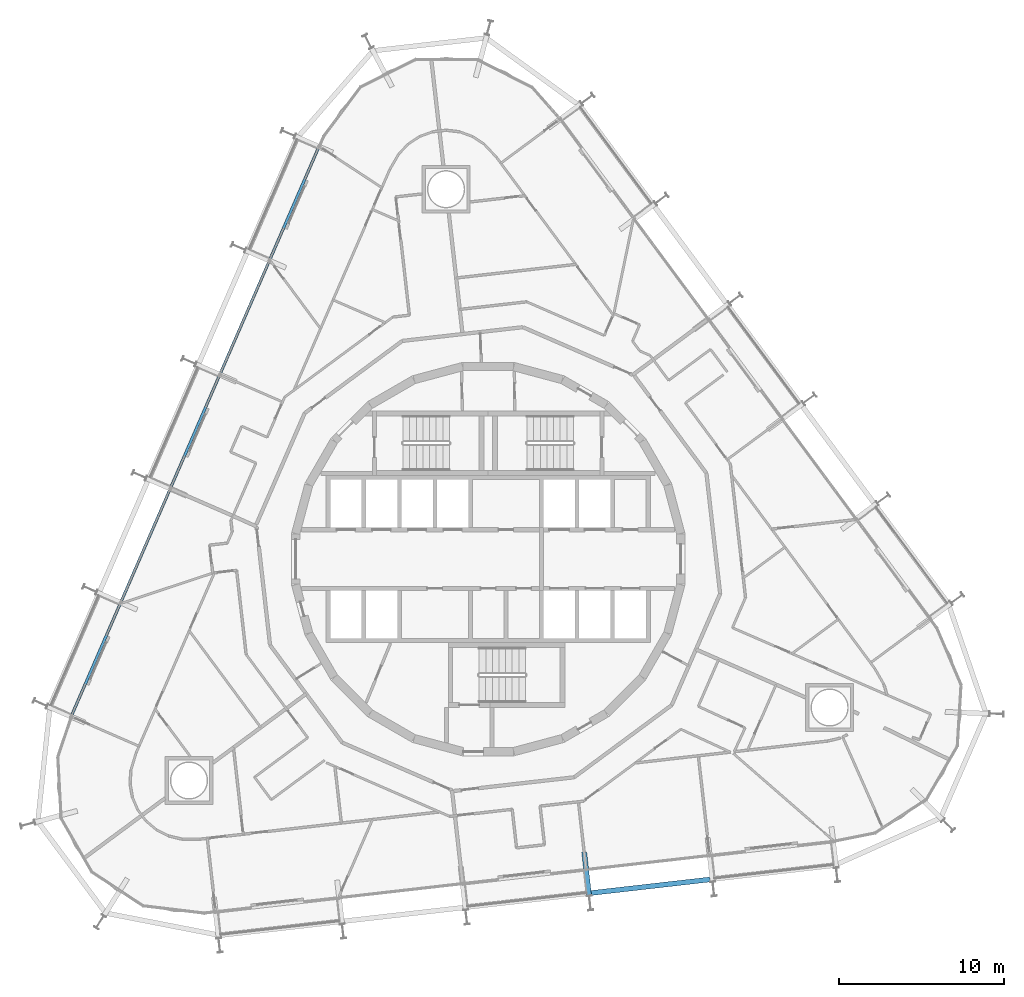
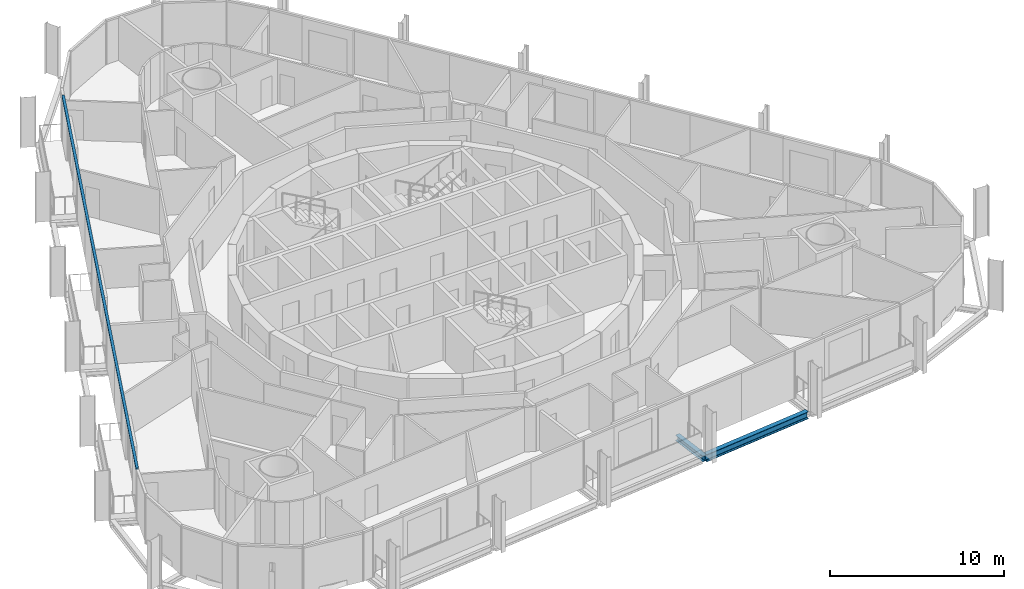
# One storey, part 6 of 22: 2 beams, 1 member, 1 element without a shape of its own.
"""IFC4 building model written with IfcOpenShell, lengths in metres."""

from ifc_helpers import new_model, si_unit, direction, frame, origin, origin_2d, place, context, subcontext, project, spatial, rectangle, i_section, extrude, material, layer, layer_set, material_profile, profile_set, type_object, element, aggregate, save


model = new_model("IFC4")

# Units and contexts
model_context = context("Model", 3, precision=1e-05, world=origin(), true_north=direction((0.0, 1.0)))
body_context = subcontext(model_context, "Body", "Model", "MODEL_VIEW")
ifc_project = project(units=[si_unit("LENGTHUNIT", "METRE"), si_unit("AREAUNIT", "SQUARE_METRE"), si_unit("VOLUMEUNIT", "CUBIC_METRE"), si_unit("PLANEANGLEUNIT", "RADIAN"), si_unit("MASSUNIT", "GRAM", prefix="KILO")], contexts=[model_context])

# Site, building, storey
site_placement = place(None, origin())
site = spatial("IfcSite", under=ifc_project, at=site_placement, CompositionType="ELEMENT")
building_placement = place(site_placement, origin())
building = spatial("IfcBuilding", under=site, at=building_placement, Name="Spindle Arch Residences", CompositionType="ELEMENT")
storey_placement = place(building_placement, frame((0.0, 0.0, 80.199951171875)))
storey = spatial("IfcBuildingStorey", under=building, at=storey_placement, Name="L18", CompositionType="ELEMENT", Elevation=80.199951171875)

# Curtain wall, member
ifc_material_1 = material(Name="Aluminium bronze unitised frame with tinted glass", Category="aluminium")
ifc_layer = layer(ifc_material_1, 0.159912109375)
ifc_layer_set = layer_set([ifc_layer], Name="CW-C typical residential unitised wall")
curtain_wall_type = type_object("IfcCurtainWallType", Name="CW-C typical residential unitised wall", PredefinedType="NOTDEFINED", material=ifc_layer_set)
curtain_wall_placement = place(storey_placement, origin())
curtain_wall = element("IfcCurtainWall", 1, at=curtain_wall_placement, inside=storey, type_object=curtain_wall_type, Name="CW-C L18 run 4", PredefinedType="NOTDEFINED")
ifc_material_2 = material(Name="Aluminium bronze anodised transom", Category="aluminium")
ifc_material_profile_1 = material_profile(ifc_material_2, rectangle(XDim=0.159912109375, YDim=0.1201171875, at=origin_2d()), Name="TR 120x160")
ifc_profile_set_1 = profile_set([ifc_material_profile_1], Name="Aluminium bronze anodised transom")
member_type = type_object("IfcMemberType", Name="Bronze transom 120x160", PredefinedType="USERDEFINED", material=ifc_profile_set_1)
member_placement = place(storey_placement, frame((-10.250244140625, 24.92138671875, 3.06005859375), z_axis=(-0.398750371211, -0.917059508134, 0.0), x_axis=(0.917059508134, -0.398750371211, 0.0)))
member = element("IfcMember", 2, at=member_placement, type_object=member_type, Name="CW-C transom 00", ObjectType="TRANSOM", PredefinedType="USERDEFINED", context=body_context, shape_type="SweptSolid", body=[
    extrude(rectangle(XDim=0.159912109375, YDim=0.1201171875, at=origin_2d()), origin(), (0.0, 0.0, 1.0), 37.5341796875),
])
aggregate(curtain_wall, [member])

# Beams
ifc_material_3 = material(Name="Steel S460ML, intumescent coating R 120", Category="steel")
ifc_material_profile_2 = material_profile(ifc_material_3, i_section(OverallWidth=0.300048828125, OverallDepth=0.5, WebThickness=0.014404296875, FlangeThickness=0.028076171875, FilletRadius=0.027099609375, at=origin_2d()), Name="HEB 500")
ifc_profile_set_2 = profile_set([ifc_material_profile_2], Name="Steel S460ML, intumescent coating R 120")
beam_type_1 = type_object("IfcBeamType", Name="Exoskeleton edge beam HEB 500", PredefinedType="BEAM", material=ifc_profile_set_2)
beam_1_placement = place(storey_placement, frame((6.2158203125, -20.19677734375, -0.6298828125), z_axis=(0.993570992395, 0.11321079044, 0.0), x_axis=(-0.11321079044, 0.993570992395, 0.0)))
element("IfcBeam", 3, at=beam_1_placement, inside=storey, type_object=beam_type_1, Name="Exoskeleton edge beam 1", PredefinedType="BEAM", context=body_context, shape_type="SweptSolid", body=[
    extrude(i_section(OverallWidth=0.300048828125, OverallDepth=0.5, WebThickness=0.014404296875, FlangeThickness=0.028076171875, FilletRadius=0.027099609375, at=origin_2d()), origin(), (0.0, 0.0, 1.0), 7.2587890625),
])
ifc_material_4 = material(Name="Steel S460ML, intumescent coating R 120", Category="steel")
ifc_material_profile_3 = material_profile(ifc_material_4, i_section(OverallWidth=0.300048828125, OverallDepth=0.389892578125, WebThickness=0.010986328125, FlangeThickness=0.01904296875, FilletRadius=0.027099609375, at=origin_2d()), Name="HEA 400")
ifc_profile_set_3 = profile_set([ifc_material_profile_3], Name="Steel S460ML, intumescent coating R 120")
beam_type_2 = type_object("IfcBeamType", Name="Floor outrigger HEA 400", PredefinedType="BEAM", material=ifc_profile_set_3)
beam_2_placement = place(storey_placement, frame((6.10205078125, -20.34765625, -0.574951171875), z_axis=(-0.113221808681, 0.993569736878, 0.0), x_axis=(-0.993569736878, -0.113221808681, 0.0)))
element("IfcBeam", 4, at=beam_2_placement, inside=storey, type_object=beam_type_2, Name="Floor outrigger 1", PredefinedType="BEAM", context=body_context, shape_type="SweptSolid", body=[
    extrude(i_section(OverallWidth=0.300048828125, OverallDepth=0.389892578125, WebThickness=0.010986328125, FlangeThickness=0.01904296875, FilletRadius=0.027099609375, at=origin_2d()), origin(), (0.0, 0.0, 1.0), 2.650146484375),
])

save(model, "model.ifc")
